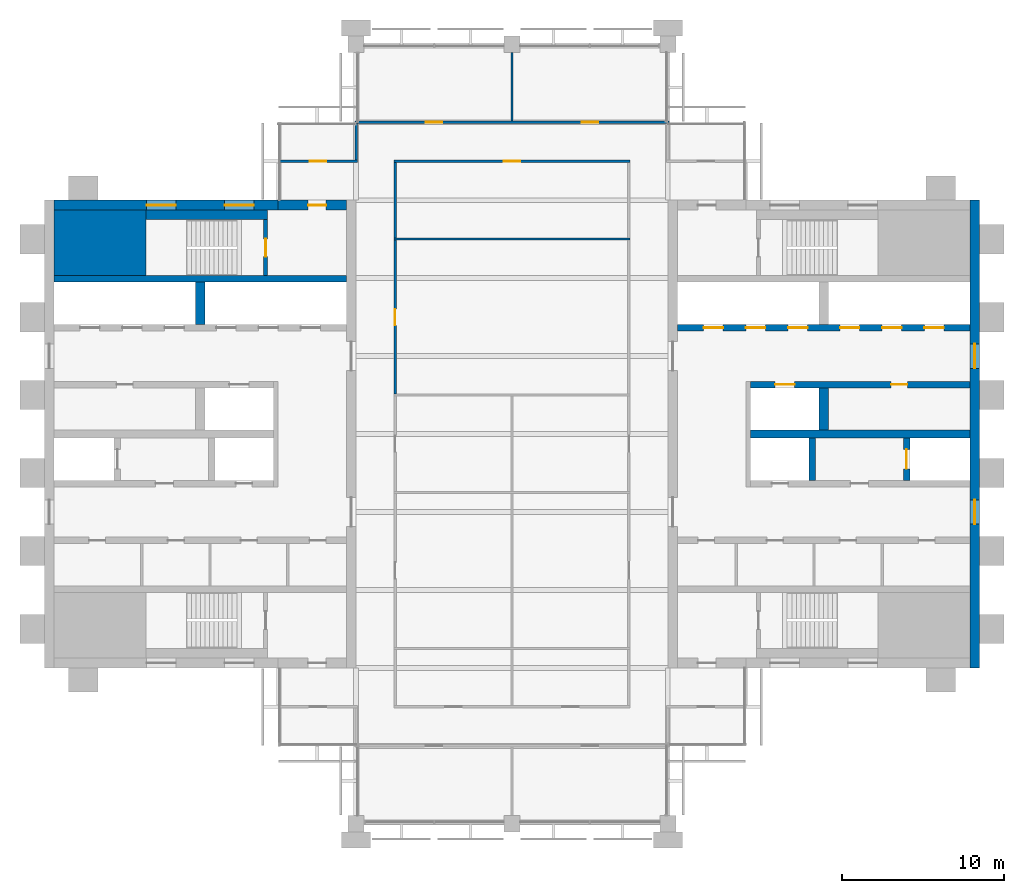
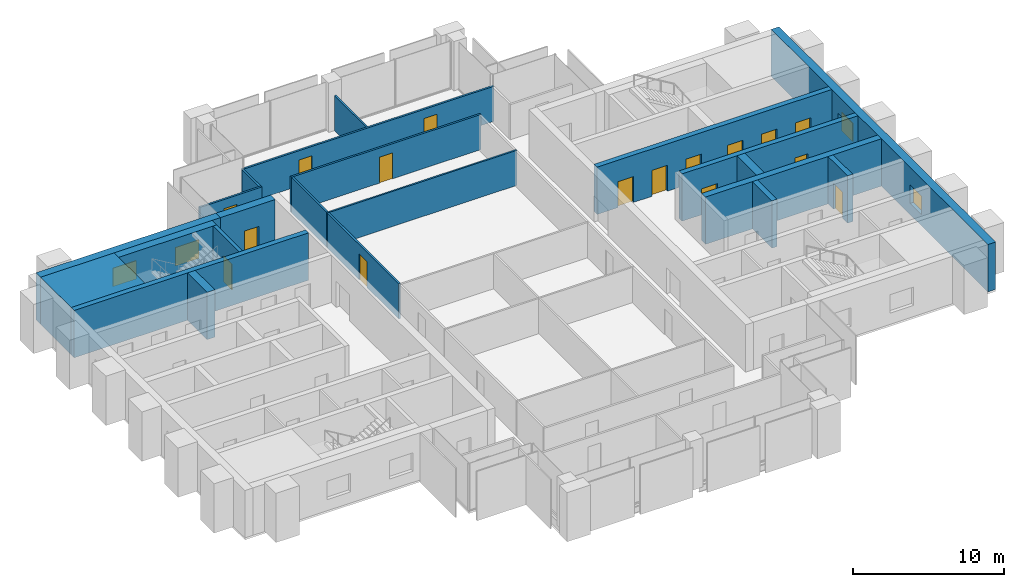
# One storey, part 10 of 12: 22 walls, 16 doors, 4 windows, 20 openings.
"""IFC4 building model written with IfcOpenShell, lengths in metres."""

from ifc_helpers import new_model, si_unit, direction, frame, frame_2d, origin, place, context, subcontext, project, spatial, rectangle, extrude, material, layer, layer_set, type_object, element, fill, save


model = new_model("IFC4")

# Units and contexts
model_context = context("Model", 3, precision=1e-05, world=origin(), true_north=direction((0.0, 1.0)))
body_context = subcontext(model_context, "Body", "Model", "MODEL_VIEW")
ifc_project = project(units=[si_unit("LENGTHUNIT", "METRE"), si_unit("AREAUNIT", "SQUARE_METRE"), si_unit("VOLUMEUNIT", "CUBIC_METRE"), si_unit("PLANEANGLEUNIT", "RADIAN"), si_unit("MASSUNIT", "GRAM", prefix="KILO")], contexts=[model_context])

# Site, building, storey
site_placement = place(None, origin())
site = spatial("IfcSite", under=ifc_project, at=site_placement, CompositionType="ELEMENT")
building_placement = place(site_placement, origin())
building = spatial("IfcBuilding", under=site, at=building_placement, Name="Baori Bourse Tower", CompositionType="ELEMENT")
storey_placement = place(building_placement, frame((0.0, 0.0, 310.300048828125)))
storey = spatial("IfcBuildingStorey", under=building, at=storey_placement, Name="L68", CompositionType="ELEMENT", Elevation=310.300048828125)

# Wall
ifc_material_1 = material(Name="Concrete f'c 40 MPa", Category="concrete")
wall_type_1 = type_object("IfcWallType", Name="Core corner block f'c 40", PredefinedType="SHEAR", material=ifc_material_1)
wall_1_placement = place(storey_placement, frame((0.60009765625, 35.77490234375, 0.0), z_axis=(0.0, 0.0, 1.0), x_axis=(1.0, 0.0, 0.0)))
element("IfcWall", 1, at=wall_1_placement, inside=storey, type_object=wall_type_1, Name="Core wall W23", PredefinedType="SHEAR", context=body_context, shape_type="SweptSolid", body=[
    extrude(rectangle(XDim=5.64990234375, YDim=4.050048828125, at=frame_2d((2.824951171875, 0.0))), origin(), (0.0, 0.0, 1.0), 3.83984375),
])

# Wall, openings, windows
ifc_material_2 = material(Name="Concrete f'c 40 MPa", Category="concrete")
ifc_layer_1 = layer(ifc_material_2, 0.60009765625)
ifc_layer_set_1 = layer_set([ifc_layer_1], Name="Core wall 600 f'c 40")
wall_type_2 = type_object("IfcWallType", Name="Core wall 600 f'c 40", PredefinedType="SHEAR", material=ifc_layer_set_1)
wall_2_placement = place(storey_placement, frame((0.60009765625, 38.10009765625, 0.0), z_axis=(0.0, 0.0, 1.0), x_axis=(1.0, 0.0, 0.0)))
wall_2 = element("IfcWall", 2, at=wall_2_placement, inside=storey, type_object=wall_type_2, Name="Core wall W26", PredefinedType="SHEAR", context=body_context, shape_type="SweptSolid", body=[
    extrude(rectangle(XDim=13.7998046875, YDim=0.60009765625, at=frame_2d((6.89990234375, 0.0))), origin(), (0.0, 0.0, 1.0), 3.83984375),
])
opening_1_placement = place(wall_2_placement, frame((5.699951171875, 0.0, 0.89990234375)))
opening_1 = element("IfcOpeningElement", 3, at=opening_1_placement, cuts=wall_2, Name="Opening L68-KW105", PredefinedType="OPENING", context=body_context, shape_type="SweptSolid", body=[
    extrude(rectangle(XDim=1.800048828125, YDim=1.5, at=frame_2d((0.89990234375, 0.75))), frame((0.0, 0.31005859375, 0.0), z_axis=(0.0, -1.0, 0.0), x_axis=(1.0, 0.0, 0.0)), (0.0, 0.0, 1.0), 0.6201171875),
])
opening_2_placement = place(wall_2_placement, frame((10.5, 0.0, 0.89990234375)))
opening_2 = element("IfcOpeningElement", 4, at=opening_2_placement, cuts=wall_2, Name="Opening L68-KW106", PredefinedType="OPENING", context=body_context, shape_type="SweptSolid", body=[
    extrude(rectangle(XDim=1.800048828125, YDim=1.5, at=frame_2d((0.89990234375, 0.75))), frame((0.0, 0.31005859375, 0.0), z_axis=(0.0, -1.0, 0.0), x_axis=(1.0, 0.0, 0.0)), (0.0, 0.0, 1.0), 0.6201171875),
])
ifc_material_3 = material(Name="Pale anodised aluminium", Category="aluminium")
window_type_1 = type_object("IfcWindowType", Name="Stair window 1800 x 1500", PartitioningType="SINGLE_PANEL", PredefinedType="WINDOW", material=ifc_material_3)
window_1_placement = place(opening_1_placement, origin())
window_1 = element("IfcWindow", 5, at=window_1_placement, inside=storey, type_object=window_type_1, Name="Stair window W L68 5", OverallHeight=1.5, OverallWidth=1.800048828125, PartitioningType="SINGLE_PANEL", PredefinedType="WINDOW", context=body_context, shape_type="SweptSolid", body=[
    extrude(rectangle(XDim=1.800048828125, YDim=1.5, at=frame_2d((0.89990234375, 0.75))), frame((0.0, 0.030029296875, 0.0), z_axis=(0.0, -1.0, 0.0), x_axis=(1.0, 0.0, 0.0)), (0.0, 0.0, 1.0), 0.06005859375),
])
fill(opening_1, window_1)
window_2_placement = place(opening_2_placement, origin())
window_2 = element("IfcWindow", 6, at=window_2_placement, inside=storey, type_object=window_type_1, Name="Stair window W L68 6", OverallHeight=1.5, OverallWidth=1.800048828125, PartitioningType="SINGLE_PANEL", PredefinedType="WINDOW", context=body_context, shape_type="SweptSolid", body=[
    extrude(rectangle(XDim=1.800048828125, YDim=1.5, at=frame_2d((0.89990234375, 0.75))), frame((0.0, 0.030029296875, 0.0), z_axis=(0.0, -1.0, 0.0), x_axis=(1.0, 0.0, 0.0)), (0.0, 0.0, 1.0), 0.06005859375),
])
fill(opening_2, window_2)

# Wall, opening, door
wall_3_placement = place(storey_placement, frame((14.39990234375, 38.10009765625, 0.0), z_axis=(0.0, 0.0, 1.0), x_axis=(1.0, 0.0, 0.0)))
wall_3 = element("IfcWall", 7, at=wall_3_placement, inside=storey, type_object=wall_type_2, Name="Core wall W27", PredefinedType="SHEAR", context=body_context, shape_type="SweptSolid", body=[
    extrude(rectangle(XDim=4.2001953125, YDim=0.60009765625, at=frame_2d((2.10009765625, 0.0))), origin(), (0.0, 0.0, 1.0), 3.83984375),
])
opening_3_placement = place(wall_3_placement, frame((1.85009765625, 0.0, 0.0)))
opening_3 = element("IfcOpeningElement", 8, at=opening_3_placement, cuts=wall_3, Name="Opening L68-D104", PredefinedType="OPENING", context=body_context, shape_type="SweptSolid", body=[
    extrude(rectangle(XDim=1.10009765625, YDim=2.10009765625, at=frame_2d((0.550048828125, 1.050048828125))), frame((0.0, 0.31005859375, 0.0), z_axis=(0.0, -1.0, 0.0), x_axis=(1.0, 0.0, 0.0)), (0.0, 0.0, 1.0), 0.6201171875),
])
ifc_material_4 = material(Name="Painted steel door", Category="steel")
door_type_1 = type_object("IfcDoorType", Name="Stair door 1100", OperationType="SINGLE_SWING_LEFT", PredefinedType="DOOR", material=ifc_material_4)
door_1_placement = place(opening_3_placement, origin())
door_1 = element("IfcDoor", 9, at=door_1_placement, inside=storey, type_object=door_type_1, Name="Stair vestibule door B W L68", OperationType="SINGLE_SWING_LEFT", OverallHeight=2.10009765625, OverallWidth=1.10009765625, PredefinedType="DOOR", context=body_context, shape_type="SweptSolid", body=[
    extrude(rectangle(XDim=1.10009765625, YDim=2.10009765625, at=frame_2d((0.550048828125, 1.050048828125))), frame((0.0, 0.02490234375, 0.0), z_axis=(0.0, -1.0, 0.0), x_axis=(1.0, 0.0, 0.0)), (0.0, 0.0, 1.0), 0.050048828125),
])
fill(opening_3, door_1)

# Wall, openings, windows
wall_4_placement = place(storey_placement, frame((57.300048828125, 38.39990234375, 0.0), z_axis=(0.0, 0.0, 1.0), x_axis=(0.0, -1.0, 0.0)))
wall_4 = element("IfcWall", 10, at=wall_4_placement, inside=storey, type_object=wall_type_2, Name="Core wall E01", PredefinedType="SHEAR", context=body_context, shape_type="SweptSolid", body=[
    extrude(rectangle(XDim=28.7998046875, YDim=0.60009765625, at=frame_2d((14.39990234375, 0.0))), origin(), (0.0, 0.0, 1.0), 3.83984375),
])
opening_4_placement = place(wall_4_placement, frame((18.449951171875, 0.0, 0.89990234375)))
opening_4 = element("IfcOpeningElement", 11, at=opening_4_placement, cuts=wall_4, Name="Opening L68-KW201", PredefinedType="OPENING", context=body_context, shape_type="SweptSolid", body=[
    extrude(rectangle(XDim=1.5, YDim=1.5, at=frame_2d((0.75, 0.75))), frame((0.0, 0.31005859375, 0.0), z_axis=(0.0, -1.0, 0.0), x_axis=(1.0, 0.0, 0.0)), (0.0, 0.0, 1.0), 0.6201171875),
])
opening_5_placement = place(wall_4_placement, frame((8.85009765625, 0.0, 0.89990234375)))
opening_5 = element("IfcOpeningElement", 12, at=opening_5_placement, cuts=wall_4, Name="Opening L68-KW202", PredefinedType="OPENING", context=body_context, shape_type="SweptSolid", body=[
    extrude(rectangle(XDim=1.5, YDim=1.5, at=frame_2d((0.75, 0.75))), frame((0.0, 0.31005859375, 0.0), z_axis=(0.0, -1.0, 0.0), x_axis=(1.0, 0.0, 0.0)), (0.0, 0.0, 1.0), 0.6201171875),
])
ifc_material_5 = material(Name="Pale anodised aluminium", Category="aluminium")
window_type_2 = type_object("IfcWindowType", Name="Lobby window 1500 x 1500", PartitioningType="SINGLE_PANEL", PredefinedType="WINDOW", material=ifc_material_5)
window_3_placement = place(opening_4_placement, origin())
window_3 = element("IfcWindow", 13, at=window_3_placement, inside=storey, type_object=window_type_2, Name="Outer wall window E L68 1", OverallHeight=1.5, OverallWidth=1.5, PartitioningType="SINGLE_PANEL", PredefinedType="WINDOW", context=body_context, shape_type="SweptSolid", body=[
    extrude(rectangle(XDim=1.5, YDim=1.5, at=frame_2d((0.75, 0.75))), frame((0.0, 0.030029296875, 0.0), z_axis=(0.0, -1.0, 0.0), x_axis=(1.0, 0.0, 0.0)), (0.0, 0.0, 1.0), 0.06005859375),
])
fill(opening_4, window_3)
window_4_placement = place(opening_5_placement, origin())
window_4 = element("IfcWindow", 14, at=window_4_placement, inside=storey, type_object=window_type_2, Name="Outer wall window E L68 2", OverallHeight=1.5, OverallWidth=1.5, PartitioningType="SINGLE_PANEL", PredefinedType="WINDOW", context=body_context, shape_type="SweptSolid", body=[
    extrude(rectangle(XDim=1.5, YDim=1.5, at=frame_2d((0.75, 0.75))), frame((0.0, 0.030029296875, 0.0), z_axis=(0.0, -1.0, 0.0), x_axis=(1.0, 0.0, 0.0)), (0.0, 0.0, 1.0), 0.06005859375),
])
fill(opening_5, window_4)

# Wall, opening, door
ifc_material_6 = material(Name="Gypsum board partition")
ifc_layer_2 = layer(ifc_material_6, 0.14990234375)
ifc_layer_set_2 = layer_set([ifc_layer_2], Name="Corridor partition 150")
wall_type_3 = type_object("IfcWallType", Name="Corridor partition 150", PredefinedType="PARTITIONING", material=ifc_layer_set_2)
wall_5_placement = place(storey_placement, frame((14.5, 40.800048828125, 0.0), z_axis=(0.0, 0.0, 1.0), x_axis=(1.0, 0.0, 0.0)))
wall_5 = element("IfcWall", 15, at=wall_5_placement, inside=storey, type_object=wall_type_3, Name="Partition", PredefinedType="PARTITIONING", context=body_context, shape_type="SweptSolid", body=[
    extrude(rectangle(XDim=4.77490234375, YDim=0.14990234375, at=frame_2d((2.387451171875, 0.0))), origin(), (0.0, 0.0, 1.0), 2.849365234375),
])
opening_6_placement = place(wall_5_placement, frame((1.85009765625, 0.0, 0.0)))
opening_6 = element("IfcOpeningElement", 16, at=opening_6_placement, cuts=wall_5, Name="Opening L68-D07", PredefinedType="OPENING", context=body_context, shape_type="SweptSolid", body=[
    extrude(rectangle(XDim=1.0, YDim=2.10009765625, at=frame_2d((0.5, 1.050048828125))), frame((0.0, 0.0849609375, 0.0), z_axis=(0.0, -1.0, 0.0), x_axis=(1.0, 0.0, 0.0)), (0.0, 0.0, 1.0), 0.169921875),
])
ifc_material_7 = material(Name="Timber door leaf", Category="wood")
door_type_2 = type_object("IfcDoorType", Name="Door 1000 x 2100", OperationType="SINGLE_SWING_LEFT", PredefinedType="DOOR", material=ifc_material_7)
door_2_placement = place(opening_6_placement, origin())
door_2 = element("IfcDoor", 17, at=door_2_placement, inside=storey, type_object=door_type_2, Name="Door", OperationType="SINGLE_SWING_RIGHT", OverallHeight=2.10009765625, OverallWidth=1.0, PredefinedType="DOOR", context=body_context, shape_type="SweptSolid", body=[
    extrude(rectangle(XDim=1.0, YDim=2.10009765625, at=frame_2d((0.5, 1.050048828125))), frame((0.0, 0.02490234375, 0.0), z_axis=(0.0, -1.0, 0.0), x_axis=(1.0, 0.0, 0.0)), (0.0, 0.0, 1.0), 0.050048828125),
])
fill(opening_6, door_2)

wall_6_placement = place(storey_placement, frame((21.52490234375, 40.800048828125, 0.0), z_axis=(0.0, 0.0, 1.0), x_axis=(1.0, 0.0, 0.0)))
wall_6 = element("IfcWall", 18, at=wall_6_placement, inside=storey, type_object=wall_type_3, Name="Partition", PredefinedType="PARTITIONING", context=body_context, shape_type="SweptSolid", body=[
    extrude(rectangle(XDim=14.550048828125, YDim=0.14990234375, at=frame_2d((7.27490234375, 0.0))), origin(), (0.0, 0.0, 1.0), 2.849365234375),
])
opening_7_placement = place(wall_6_placement, frame((6.77490234375, 0.0, 0.0)))
opening_7 = element("IfcOpeningElement", 19, at=opening_7_placement, cuts=wall_6, Name="Opening L68-D08", PredefinedType="OPENING", context=body_context, shape_type="SweptSolid", body=[
    extrude(rectangle(XDim=1.0, YDim=2.10009765625, at=frame_2d((0.5, 1.050048828125))), frame((0.0, 0.0849609375, 0.0), z_axis=(0.0, -1.0, 0.0), x_axis=(1.0, 0.0, 0.0)), (0.0, 0.0, 1.0), 0.169921875),
])
door_3_placement = place(opening_7_placement, origin())
door_3 = element("IfcDoor", 20, at=door_3_placement, inside=storey, type_object=door_type_2, Name="Door", OperationType="SINGLE_SWING_LEFT", OverallHeight=2.10009765625, OverallWidth=1.0, PredefinedType="DOOR", context=body_context, shape_type="SweptSolid", body=[
    extrude(rectangle(XDim=1.0, YDim=2.10009765625, at=frame_2d((0.5, 1.050048828125))), frame((0.0, 0.02490234375, 0.0), z_axis=(0.0, -1.0, 0.0), x_axis=(1.0, 0.0, 0.0)), (0.0, 0.0, 1.0), 0.050048828125),
])
fill(opening_7, door_3)

# Wall, openings, doors
wall_7_placement = place(storey_placement, frame((19.125, 43.199951171875, 0.0), z_axis=(0.0, 0.0, 1.0), x_axis=(1.0, 0.0, 0.0)))
wall_7 = element("IfcWall", 21, at=wall_7_placement, inside=storey, type_object=wall_type_3, Name="Partition", PredefinedType="PARTITIONING", context=body_context, shape_type="SweptSolid", body=[
    extrude(rectangle(XDim=19.35009765625, YDim=0.14990234375, at=frame_2d((9.675048828125, 0.0))), origin(), (0.0, 0.0, 1.0), 2.849365234375),
])
opening_8_placement = place(wall_7_placement, frame((4.375, 0.0, 0.0)))
opening_8 = element("IfcOpeningElement", 22, at=opening_8_placement, cuts=wall_7, Name="Opening L68-D10", PredefinedType="OPENING", context=body_context, shape_type="SweptSolid", body=[
    extrude(rectangle(XDim=1.0, YDim=2.10009765625, at=frame_2d((0.5, 1.050048828125))), frame((0.0, 0.0849609375, 0.0), z_axis=(0.0, -1.0, 0.0), x_axis=(1.0, 0.0, 0.0)), (0.0, 0.0, 1.0), 0.169921875),
])
opening_9_placement = place(wall_7_placement, frame((13.97509765625, 0.0, 0.0)))
opening_9 = element("IfcOpeningElement", 23, at=opening_9_placement, cuts=wall_7, Name="Opening L68-D11", PredefinedType="OPENING", context=body_context, shape_type="SweptSolid", body=[
    extrude(rectangle(XDim=1.0, YDim=2.10009765625, at=frame_2d((0.5, 1.050048828125))), frame((0.0, 0.0849609375, 0.0), z_axis=(0.0, -1.0, 0.0), x_axis=(1.0, 0.0, 0.0)), (0.0, 0.0, 1.0), 0.169921875),
])
door_4_placement = place(opening_8_placement, origin())
door_4 = element("IfcDoor", 24, at=door_4_placement, inside=storey, type_object=door_type_2, Name="Door", OperationType="SINGLE_SWING_RIGHT", OverallHeight=2.10009765625, OverallWidth=1.0, PredefinedType="DOOR", context=body_context, shape_type="SweptSolid", body=[
    extrude(rectangle(XDim=1.0, YDim=2.10009765625, at=frame_2d((0.5, 1.050048828125))), frame((0.0, 0.02490234375, 0.0), z_axis=(0.0, -1.0, 0.0), x_axis=(1.0, 0.0, 0.0)), (0.0, 0.0, 1.0), 0.050048828125),
])
fill(opening_8, door_4)
door_5_placement = place(opening_9_placement, origin())
door_5 = element("IfcDoor", 25, at=door_5_placement, inside=storey, type_object=door_type_2, Name="Door", OperationType="SINGLE_SWING_LEFT", OverallHeight=2.10009765625, OverallWidth=1.0, PredefinedType="DOOR", context=body_context, shape_type="SweptSolid", body=[
    extrude(rectangle(XDim=1.0, YDim=2.10009765625, at=frame_2d((0.5, 1.050048828125))), frame((0.0, 0.02490234375, 0.0), z_axis=(0.0, -1.0, 0.0), x_axis=(1.0, 0.0, 0.0)), (0.0, 0.0, 1.0), 0.050048828125),
])
fill(opening_9, door_5)

# Wall
wall_8_placement = place(storey_placement, frame((19.199951171875, 40.875, 0.0), z_axis=(0.0, 0.0, 1.0), x_axis=(0.0, 1.0, 0.0)))
element("IfcWall", 26, at=wall_8_placement, inside=storey, type_object=wall_type_3, Name="Partition", PredefinedType="PARTITIONING", context=body_context, shape_type="SweptSolid", body=[
    extrude(rectangle(XDim=2.25, YDim=0.14990234375, at=frame_2d((1.125, 0.0))), origin(), (0.0, 0.0, 1.0), 2.849365234375),
])

# Wall, opening, door
wall_9_placement = place(storey_placement, frame((21.60009765625, 26.46240234375, 0.0), z_axis=(0.0, 0.0, 1.0), x_axis=(0.0, 1.0, 0.0)))
wall_9 = element("IfcWall", 27, at=wall_9_placement, inside=storey, type_object=wall_type_3, Name="Partition", PredefinedType="PARTITIONING", context=body_context, shape_type="SweptSolid", body=[
    extrude(rectangle(XDim=9.47509765625, YDim=0.14990234375, at=frame_2d((4.737548828125, 0.0))), origin(), (0.0, 0.0, 1.0), 2.849365234375),
])
opening_10_placement = place(wall_9_placement, frame((4.237548828125, 0.0, 0.0)))
opening_10 = element("IfcOpeningElement", 28, at=opening_10_placement, cuts=wall_9, Name="Opening L68-D14", PredefinedType="OPENING", context=body_context, shape_type="SweptSolid", body=[
    extrude(rectangle(XDim=1.0, YDim=2.10009765625, at=frame_2d((0.5, 1.050048828125))), frame((0.0, 0.0849609375, 0.0), z_axis=(0.0, -1.0, 0.0), x_axis=(1.0, 0.0, 0.0)), (0.0, 0.0, 1.0), 0.169921875),
])
door_6_placement = place(opening_10_placement, origin())
door_6 = element("IfcDoor", 29, at=door_6_placement, inside=storey, type_object=door_type_2, Name="Door", OperationType="SINGLE_SWING_LEFT", OverallHeight=2.10009765625, OverallWidth=1.0, PredefinedType="DOOR", context=body_context, shape_type="SweptSolid", body=[
    extrude(rectangle(XDim=1.0, YDim=2.10009765625, at=frame_2d((0.5, 1.050048828125))), frame((0.0, 0.02490234375, 0.0), z_axis=(0.0, -1.0, 0.0), x_axis=(1.0, 0.0, 0.0)), (0.0, 0.0, 1.0), 0.050048828125),
])
fill(opening_10, door_6)

# Walls
wall_10_placement = place(storey_placement, frame((21.60009765625, 36.0625, 0.0), z_axis=(0.0, 0.0, 1.0), x_axis=(0.0, 1.0, 0.0)))
element("IfcWall", 30, at=wall_10_placement, inside=storey, type_object=wall_type_3, Name="Partition", PredefinedType="PARTITIONING", context=body_context, shape_type="SweptSolid", body=[
    extrude(rectangle(XDim=4.66259765625, YDim=0.14990234375, at=frame_2d((2.331298828125, 0.0))), origin(), (0.0, 0.0, 1.0), 2.849365234375),
])
ifc_material_8 = material(Name="Gypsum board partition")
ifc_layer_3 = layer(ifc_material_8, 0.125)
ifc_layer_set_3 = layer_set([ifc_layer_3], Name="Partition 125")
wall_type_4 = type_object("IfcWallType", Name="Partition 125", PredefinedType="PARTITIONING", material=ifc_layer_set_3)
wall_11_placement = place(storey_placement, frame((21.52490234375, 36.0, 0.0), z_axis=(0.0, 0.0, 1.0), x_axis=(1.0, 0.0, 0.0)))
element("IfcWall", 31, at=wall_11_placement, inside=storey, type_object=wall_type_4, Name="Partition", PredefinedType="PARTITIONING", context=body_context, shape_type="SweptSolid", body=[
    extrude(rectangle(XDim=14.550048828125, YDim=0.125, at=frame_2d((7.27490234375, 0.0))), origin(), (0.0, 0.0, 1.0), 2.849365234375),
])
wall_12_placement = place(storey_placement, frame((28.800048828125, 43.27490234375, 0.0), z_axis=(0.0, 0.0, 1.0), x_axis=(0.0, 1.0, 0.0)))
element("IfcWall", 32, at=wall_12_placement, inside=storey, type_object=wall_type_4, Name="Partition", PredefinedType="PARTITIONING", context=body_context, shape_type="SweptSolid", body=[
    extrude(rectangle(XDim=4.22509765625, YDim=0.125, at=frame_2d((2.112548828125, 0.0))), origin(), (0.0, 0.0, 1.0), 2.849365234375),
])

# Wall, opening, door
ifc_material_9 = material(Name="Concrete f'c 40 MPa", Category="concrete")
ifc_layer_4 = layer(ifc_material_9, 0.25)
ifc_layer_set_4 = layer_set([ifc_layer_4], Name="Shaft wall 250 f'c 40")
wall_type_5 = type_object("IfcWallType", Name="Shaft wall 250 f'c 40", PredefinedType="SHEAR", material=ifc_layer_set_4)
wall_13_placement = place(storey_placement, frame((13.625, 33.75, 0.0), z_axis=(0.0, 0.0, 1.0), x_axis=(0.0, 1.0, 0.0)))
wall_13 = element("IfcWall", 33, at=wall_13_placement, inside=storey, type_object=wall_type_5, Name="Core wall W24", PredefinedType="SHEAR", context=body_context, shape_type="SweptSolid", body=[
    extrude(rectangle(XDim=3.449951171875, YDim=0.25, at=frame_2d((1.72509765625, 0.0))), origin(), (0.0, 0.0, 1.0), 3.83984375),
])
opening_11_placement = place(wall_13_placement, frame((1.175048828125, 0.0, 0.0)))
opening_11 = element("IfcOpeningElement", 34, at=opening_11_placement, cuts=wall_13, Name="Opening L68-D103", PredefinedType="OPENING", context=body_context, shape_type="SweptSolid", body=[
    extrude(rectangle(XDim=1.10009765625, YDim=2.10009765625, at=frame_2d((0.550048828125, 1.050048828125))), frame((0.0, 0.135009765625, 0.0), z_axis=(0.0, -1.0, 0.0), x_axis=(1.0, 0.0, 0.0)), (0.0, 0.0, 1.0), 0.27001953125),
])
door_7_placement = place(opening_11_placement, origin())
door_7 = element("IfcDoor", 35, at=door_7_placement, inside=storey, type_object=door_type_1, Name="Stair door B W L68", OperationType="SINGLE_SWING_LEFT", OverallHeight=2.10009765625, OverallWidth=1.10009765625, PredefinedType="DOOR", context=body_context, shape_type="SweptSolid", body=[
    extrude(rectangle(XDim=1.10009765625, YDim=2.10009765625, at=frame_2d((0.550048828125, 1.050048828125))), frame((0.0, 0.02490234375, 0.0), z_axis=(0.0, -1.0, 0.0), x_axis=(1.0, 0.0, 0.0)), (0.0, 0.0, 1.0), 0.050048828125),
])
fill(opening_11, door_7)

# Wall
ifc_material_10 = material(Name="Concrete f'c 40 MPa", Category="concrete")
ifc_layer_5 = layer(ifc_material_10, 0.39990234375)
ifc_layer_set_5 = layer_set([ifc_layer_5], Name="Shaft wall 400 f'c 40")
wall_type_6 = type_object("IfcWallType", Name="Shaft wall 400 f'c 40", PredefinedType="SHEAR", material=ifc_layer_set_5)
wall_14_placement = place(storey_placement, frame((0.60009765625, 33.550048828125, 0.0), z_axis=(0.0, 0.0, 1.0), x_axis=(1.0, 0.0, 0.0)))
element("IfcWall", 36, at=wall_14_placement, inside=storey, type_object=wall_type_6, Name="Core wall W22", PredefinedType="SHEAR", context=body_context, shape_type="SweptSolid", body=[
    extrude(rectangle(XDim=18.0, YDim=0.39990234375, at=frame_2d((9.0, 0.0))), origin(), (0.0, 0.0, 1.0), 3.83984375),
])

# Wall, opening, door
wall_15_placement = place(storey_placement, frame((53.10009765625, 21.14990234375, 0.0), z_axis=(0.0, 0.0, 1.0), x_axis=(0.0, 1.0, 0.0)))
wall_15 = element("IfcWall", 37, at=wall_15_placement, inside=storey, type_object=wall_type_6, Name="Core wall E15", PredefinedType="SHEAR", context=body_context, shape_type="SweptSolid", body=[
    extrude(rectangle(XDim=2.60009765625, YDim=0.39990234375, at=frame_2d((1.300048828125, 0.0))), origin(), (0.0, 0.0, 1.0), 3.83984375),
])
opening_12_placement = place(wall_15_placement, frame((0.699951171875, 0.0, 0.0)))
opening_12 = element("IfcOpeningElement", 38, at=opening_12_placement, cuts=wall_15, Name="Opening L68-D221", PredefinedType="OPENING", context=body_context, shape_type="SweptSolid", body=[
    extrude(rectangle(XDim=1.199951171875, YDim=2.10009765625, at=frame_2d((0.60009765625, 1.050048828125))), frame((0.0, 0.2099609375, 0.0), z_axis=(0.0, -1.0, 0.0), x_axis=(1.0, 0.0, 0.0)), (0.0, 0.0, 1.0), 0.419921875),
])
ifc_material_11 = material(Name="Stainless steel door", Category="steel")
door_type_3 = type_object("IfcDoorType", Name="Lift landing door", OperationType="DOUBLE_DOOR_SLIDING", PredefinedType="DOOR", material=ifc_material_11)
door_8_placement = place(opening_12_placement, origin())
door_8 = element("IfcDoor", 39, at=door_8_placement, inside=storey, type_object=door_type_3, Name="Lift landing door FF2 E L68", OperationType="DOUBLE_DOOR_SLIDING", OverallHeight=2.10009765625, OverallWidth=1.199951171875, PredefinedType="DOOR", context=body_context, shape_type="SweptSolid", body=[
    extrude(rectangle(XDim=1.199951171875, YDim=2.10009765625, at=frame_2d((0.60009765625, 1.050048828125))), frame((0.0, 0.02490234375, 0.0), z_axis=(0.0, -1.0, 0.0), x_axis=(1.0, 0.0, 0.0)), (0.0, 0.0, 1.0), 0.050048828125),
])
fill(opening_12, door_8)

# Wall
wall_16_placement = place(storey_placement, frame((47.300048828125, 21.14990234375, 0.0), z_axis=(0.0, 0.0, 1.0), x_axis=(0.0, 1.0, 0.0)))
element("IfcWall", 40, at=wall_16_placement, inside=storey, type_object=wall_type_6, Name="Core wall E16", PredefinedType="SHEAR", context=body_context, shape_type="SweptSolid", body=[
    extrude(rectangle(XDim=2.60009765625, YDim=0.39990234375, at=frame_2d((1.300048828125, 0.0))), origin(), (0.0, 0.0, 1.0), 3.83984375),
])

# Wall, openings, doors
wall_17_placement = place(storey_placement, frame((43.5, 27.050048828125, 0.0), z_axis=(0.0, 0.0, 1.0), x_axis=(1.0, 0.0, 0.0)))
wall_17 = element("IfcWall", 41, at=wall_17_placement, inside=storey, type_object=wall_type_6, Name="Core wall E19", PredefinedType="SHEAR", context=body_context, shape_type="SweptSolid", body=[
    extrude(rectangle(XDim=13.5, YDim=0.39990234375, at=frame_2d((6.75, 0.0))), origin(), (0.0, 0.0, 1.0), 3.83984375),
])
opening_13_placement = place(wall_17_placement, frame((8.64990234375, 0.0, 0.0)))
opening_13 = element("IfcOpeningElement", 42, at=opening_13_placement, cuts=wall_17, Name="Opening L68-D213", PredefinedType="OPENING", context=body_context, shape_type="SweptSolid", body=[
    extrude(rectangle(XDim=1.0, YDim=2.10009765625, at=frame_2d((0.5, 1.050048828125))), frame((0.0, 0.2099609375, 0.0), z_axis=(0.0, -1.0, 0.0), x_axis=(1.0, 0.0, 0.0)), (0.0, 0.0, 1.0), 0.419921875),
])
opening_14_placement = place(wall_17_placement, frame((1.5, 0.0, 0.0)))
opening_14 = element("IfcOpeningElement", 43, at=opening_14_placement, cuts=wall_17, Name="Opening L68-D220", PredefinedType="OPENING", context=body_context, shape_type="SweptSolid", body=[
    extrude(rectangle(XDim=1.199951171875, YDim=2.10009765625, at=frame_2d((0.60009765625, 1.050048828125))), frame((0.0, 0.2099609375, 0.0), z_axis=(0.0, -1.0, 0.0), x_axis=(1.0, 0.0, 0.0)), (0.0, 0.0, 1.0), 0.419921875),
])
ifc_material_12 = material(Name="Painted steel door", Category="steel")
door_type_4 = type_object("IfcDoorType", Name="Core door 1000", OperationType="SINGLE_SWING_LEFT", PredefinedType="DOOR", material=ifc_material_12)
door_9_placement = place(opening_13_placement, origin())
door_9 = element("IfcDoor", 44, at=door_9_placement, inside=storey, type_object=door_type_4, Name="Pantry door E L68", OperationType="SINGLE_SWING_LEFT", OverallHeight=2.10009765625, OverallWidth=1.0, PredefinedType="DOOR", context=body_context, shape_type="SweptSolid", body=[
    extrude(rectangle(XDim=1.0, YDim=2.10009765625, at=frame_2d((0.5, 1.050048828125))), frame((0.0, 0.02490234375, 0.0), z_axis=(0.0, -1.0, 0.0), x_axis=(1.0, 0.0, 0.0)), (0.0, 0.0, 1.0), 0.050048828125),
])
fill(opening_13, door_9)
door_10_placement = place(opening_14_placement, origin())
door_10 = element("IfcDoor", 45, at=door_10_placement, inside=storey, type_object=door_type_3, Name="Lift landing door SV1 E L68", OperationType="DOUBLE_DOOR_SLIDING", OverallHeight=2.10009765625, OverallWidth=1.199951171875, PredefinedType="DOOR", context=body_context, shape_type="SweptSolid", body=[
    extrude(rectangle(XDim=1.199951171875, YDim=2.10009765625, at=frame_2d((0.60009765625, 1.050048828125))), frame((0.0, 0.02490234375, 0.0), z_axis=(0.0, -1.0, 0.0), x_axis=(1.0, 0.0, 0.0)), (0.0, 0.0, 1.0), 0.050048828125),
])
fill(opening_14, door_10)

wall_18_placement = place(storey_placement, frame((39.0, 30.550048828125, 0.0), z_axis=(0.0, 0.0, 1.0), x_axis=(1.0, 0.0, 0.0)))
wall_18 = element("IfcWall", 46, at=wall_18_placement, inside=storey, type_object=wall_type_6, Name="Core wall E20", PredefinedType="SHEAR", context=body_context, shape_type="SweptSolid", body=[
    extrude(rectangle(XDim=18.0, YDim=0.39990234375, at=frame_2d((9.0, 0.0))), origin(), (0.0, 0.0, 1.0), 3.83984375),
])
opening_15_placement = place(wall_18_placement, frame((15.199951171875, 0.0, 0.0)))
opening_15 = element("IfcOpeningElement", 47, at=opening_15_placement, cuts=wall_18, Name="Opening L68-D214", PredefinedType="OPENING", context=body_context, shape_type="SweptSolid", body=[
    extrude(rectangle(XDim=1.199951171875, YDim=2.10009765625, at=frame_2d((0.60009765625, 1.050048828125))), frame((0.0, 0.2099609375, 0.0), z_axis=(0.0, -1.0, 0.0), x_axis=(1.0, 0.0, 0.0)), (0.0, 0.0, 1.0), 0.419921875),
])
opening_16_placement = place(wall_18_placement, frame((12.60009765625, 0.0, 0.0)))
opening_16 = element("IfcOpeningElement", 48, at=opening_16_placement, cuts=wall_18, Name="Opening L68-D215", PredefinedType="OPENING", context=body_context, shape_type="SweptSolid", body=[
    extrude(rectangle(XDim=1.199951171875, YDim=2.10009765625, at=frame_2d((0.60009765625, 1.050048828125))), frame((0.0, 0.2099609375, 0.0), z_axis=(0.0, -1.0, 0.0), x_axis=(1.0, 0.0, 0.0)), (0.0, 0.0, 1.0), 0.419921875),
])
opening_17_placement = place(wall_18_placement, frame((10.0, 0.0, 0.0)))
opening_17 = element("IfcOpeningElement", 49, at=opening_17_placement, cuts=wall_18, Name="Opening L68-D216", PredefinedType="OPENING", context=body_context, shape_type="SweptSolid", body=[
    extrude(rectangle(XDim=1.199951171875, YDim=2.10009765625, at=frame_2d((0.60009765625, 1.050048828125))), frame((0.0, 0.2099609375, 0.0), z_axis=(0.0, -1.0, 0.0), x_axis=(1.0, 0.0, 0.0)), (0.0, 0.0, 1.0), 0.419921875),
])
opening_18_placement = place(wall_18_placement, frame((6.800048828125, 0.0, 0.0)))
opening_18 = element("IfcOpeningElement", 50, at=opening_18_placement, cuts=wall_18, Name="Opening L68-D217", PredefinedType="OPENING", context=body_context, shape_type="SweptSolid", body=[
    extrude(rectangle(XDim=1.199951171875, YDim=2.10009765625, at=frame_2d((0.60009765625, 1.050048828125))), frame((0.0, 0.2099609375, 0.0), z_axis=(0.0, -1.0, 0.0), x_axis=(1.0, 0.0, 0.0)), (0.0, 0.0, 1.0), 0.419921875),
])
opening_19_placement = place(wall_18_placement, frame((4.199951171875, 0.0, 0.0)))
opening_19 = element("IfcOpeningElement", 51, at=opening_19_placement, cuts=wall_18, Name="Opening L68-D218", PredefinedType="OPENING", context=body_context, shape_type="SweptSolid", body=[
    extrude(rectangle(XDim=1.199951171875, YDim=2.10009765625, at=frame_2d((0.60009765625, 1.050048828125))), frame((0.0, 0.2099609375, 0.0), z_axis=(0.0, -1.0, 0.0), x_axis=(1.0, 0.0, 0.0)), (0.0, 0.0, 1.0), 0.419921875),
])
opening_20_placement = place(wall_18_placement, frame((1.60009765625, 0.0, 0.0)))
opening_20 = element("IfcOpeningElement", 52, at=opening_20_placement, cuts=wall_18, Name="Opening L68-D219", PredefinedType="OPENING", context=body_context, shape_type="SweptSolid", body=[
    extrude(rectangle(XDim=1.199951171875, YDim=2.10009765625, at=frame_2d((0.60009765625, 1.050048828125))), frame((0.0, 0.2099609375, 0.0), z_axis=(0.0, -1.0, 0.0), x_axis=(1.0, 0.0, 0.0)), (0.0, 0.0, 1.0), 0.419921875),
])
door_11_placement = place(opening_15_placement, origin())
door_11 = element("IfcDoor", 53, at=door_11_placement, inside=storey, type_object=door_type_3, Name="Lift landing door HR1 E L68", OperationType="DOUBLE_DOOR_SLIDING", OverallHeight=2.10009765625, OverallWidth=1.199951171875, PredefinedType="DOOR", context=body_context, shape_type="SweptSolid", body=[
    extrude(rectangle(XDim=1.199951171875, YDim=2.10009765625, at=frame_2d((0.60009765625, 1.050048828125))), frame((0.0, 0.02490234375, 0.0), z_axis=(0.0, -1.0, 0.0), x_axis=(1.0, 0.0, 0.0)), (0.0, 0.0, 1.0), 0.050048828125),
])
fill(opening_15, door_11)
door_12_placement = place(opening_16_placement, origin())
door_12 = element("IfcDoor", 54, at=door_12_placement, inside=storey, type_object=door_type_3, Name="Lift landing door HR2 E L68", OperationType="DOUBLE_DOOR_SLIDING", OverallHeight=2.10009765625, OverallWidth=1.199951171875, PredefinedType="DOOR", context=body_context, shape_type="SweptSolid", body=[
    extrude(rectangle(XDim=1.199951171875, YDim=2.10009765625, at=frame_2d((0.60009765625, 1.050048828125))), frame((0.0, 0.02490234375, 0.0), z_axis=(0.0, -1.0, 0.0), x_axis=(1.0, 0.0, 0.0)), (0.0, 0.0, 1.0), 0.050048828125),
])
fill(opening_16, door_12)
door_13_placement = place(opening_17_placement, origin())
door_13 = element("IfcDoor", 55, at=door_13_placement, inside=storey, type_object=door_type_3, Name="Lift landing door HR3 E L68", OperationType="DOUBLE_DOOR_SLIDING", OverallHeight=2.10009765625, OverallWidth=1.199951171875, PredefinedType="DOOR", context=body_context, shape_type="SweptSolid", body=[
    extrude(rectangle(XDim=1.199951171875, YDim=2.10009765625, at=frame_2d((0.60009765625, 1.050048828125))), frame((0.0, 0.02490234375, 0.0), z_axis=(0.0, -1.0, 0.0), x_axis=(1.0, 0.0, 0.0)), (0.0, 0.0, 1.0), 0.050048828125),
])
fill(opening_17, door_13)
door_14_placement = place(opening_18_placement, origin())
door_14 = element("IfcDoor", 56, at=door_14_placement, inside=storey, type_object=door_type_3, Name="Lift landing door HR4 E L68", OperationType="DOUBLE_DOOR_SLIDING", OverallHeight=2.10009765625, OverallWidth=1.199951171875, PredefinedType="DOOR", context=body_context, shape_type="SweptSolid", body=[
    extrude(rectangle(XDim=1.199951171875, YDim=2.10009765625, at=frame_2d((0.60009765625, 1.050048828125))), frame((0.0, 0.02490234375, 0.0), z_axis=(0.0, -1.0, 0.0), x_axis=(1.0, 0.0, 0.0)), (0.0, 0.0, 1.0), 0.050048828125),
])
fill(opening_18, door_14)
door_15_placement = place(opening_19_placement, origin())
door_15 = element("IfcDoor", 57, at=door_15_placement, inside=storey, type_object=door_type_3, Name="Lift landing door HR5 E L68", OperationType="DOUBLE_DOOR_SLIDING", OverallHeight=2.10009765625, OverallWidth=1.199951171875, PredefinedType="DOOR", context=body_context, shape_type="SweptSolid", body=[
    extrude(rectangle(XDim=1.199951171875, YDim=2.10009765625, at=frame_2d((0.60009765625, 1.050048828125))), frame((0.0, 0.02490234375, 0.0), z_axis=(0.0, -1.0, 0.0), x_axis=(1.0, 0.0, 0.0)), (0.0, 0.0, 1.0), 0.050048828125),
])
fill(opening_19, door_15)
door_16_placement = place(opening_20_placement, origin())
door_16 = element("IfcDoor", 58, at=door_16_placement, inside=storey, type_object=door_type_3, Name="Lift landing door HR6 E L68", OperationType="DOUBLE_DOOR_SLIDING", OverallHeight=2.10009765625, OverallWidth=1.199951171875, PredefinedType="DOOR", context=body_context, shape_type="SweptSolid", body=[
    extrude(rectangle(XDim=1.199951171875, YDim=2.10009765625, at=frame_2d((0.60009765625, 1.050048828125))), frame((0.0, 0.02490234375, 0.0), z_axis=(0.0, -1.0, 0.0), x_axis=(1.0, 0.0, 0.0)), (0.0, 0.0, 1.0), 0.050048828125),
])
fill(opening_20, door_16)

# Walls
ifc_material_13 = material(Name="Concrete f'c 40 MPa", Category="concrete")
ifc_layer_6 = layer(ifc_material_13, 0.5)
ifc_layer_set_6 = layer_set([ifc_layer_6], Name="Shaft wall 500 f'c 40")
wall_type_7 = type_object("IfcWallType", Name="Shaft wall 500 f'c 40", PredefinedType="SHEAR", material=ifc_layer_set_6)
wall_19_placement = place(storey_placement, frame((43.5, 24.0, 0.0), z_axis=(0.0, 0.0, 1.0), x_axis=(1.0, 0.0, 0.0)))
element("IfcWall", 59, at=wall_19_placement, inside=storey, type_object=wall_type_7, Name="Core wall E17", PredefinedType="SHEAR", context=body_context, shape_type="SweptSolid", body=[
    extrude(rectangle(XDim=13.5, YDim=0.5, at=frame_2d((6.75, 0.0))), origin(), (0.0, 0.0, 1.0), 3.83984375),
])
ifc_material_14 = material(Name="Concrete f'c 40 MPa", Category="concrete")
ifc_layer_7 = layer(ifc_material_14, 0.60009765625)
ifc_layer_set_7 = layer_set([ifc_layer_7], Name="Shaft wall 600 f'c 40")
wall_type_8 = type_object("IfcWallType", Name="Shaft wall 600 f'c 40", PredefinedType="SHEAR", material=ifc_layer_set_7)
wall_20_placement = place(storey_placement, frame((9.60009765625, 30.75, 0.0), z_axis=(0.0, 0.0, 1.0), x_axis=(0.0, 1.0, 0.0)))
element("IfcWall", 60, at=wall_20_placement, inside=storey, type_object=wall_type_8, Name="Core wall W21", PredefinedType="SHEAR", context=body_context, shape_type="SweptSolid", body=[
    extrude(rectangle(XDim=2.60009765625, YDim=0.60009765625, at=frame_2d((1.300048828125, 0.0))), origin(), (0.0, 0.0, 1.0), 3.83984375),
])
wall_21_placement = place(storey_placement, frame((6.25, 37.5, 0.0), z_axis=(0.0, 0.0, 1.0), x_axis=(1.0, 0.0, 0.0)))
element("IfcWall", 61, at=wall_21_placement, inside=storey, type_object=wall_type_8, Name="Core wall W25", PredefinedType="SHEAR", context=body_context, shape_type="SweptSolid", body=[
    extrude(rectangle(XDim=7.5, YDim=0.60009765625, at=frame_2d((3.75, 0.0))), origin(), (0.0, 0.0, 1.0), 3.83984375),
])
wall_22_placement = place(storey_placement, frame((48.0, 24.25, 0.0), z_axis=(0.0, 0.0, 1.0), x_axis=(0.0, 1.0, 0.0)))
element("IfcWall", 62, at=wall_22_placement, inside=storey, type_object=wall_type_8, Name="Core wall E18", PredefinedType="SHEAR", context=body_context, shape_type="SweptSolid", body=[
    extrude(rectangle(XDim=2.60009765625, YDim=0.60009765625, at=frame_2d((1.300048828125, 0.0))), origin(), (0.0, 0.0, 1.0), 3.83984375),
])

save(model, "model.ifc")
